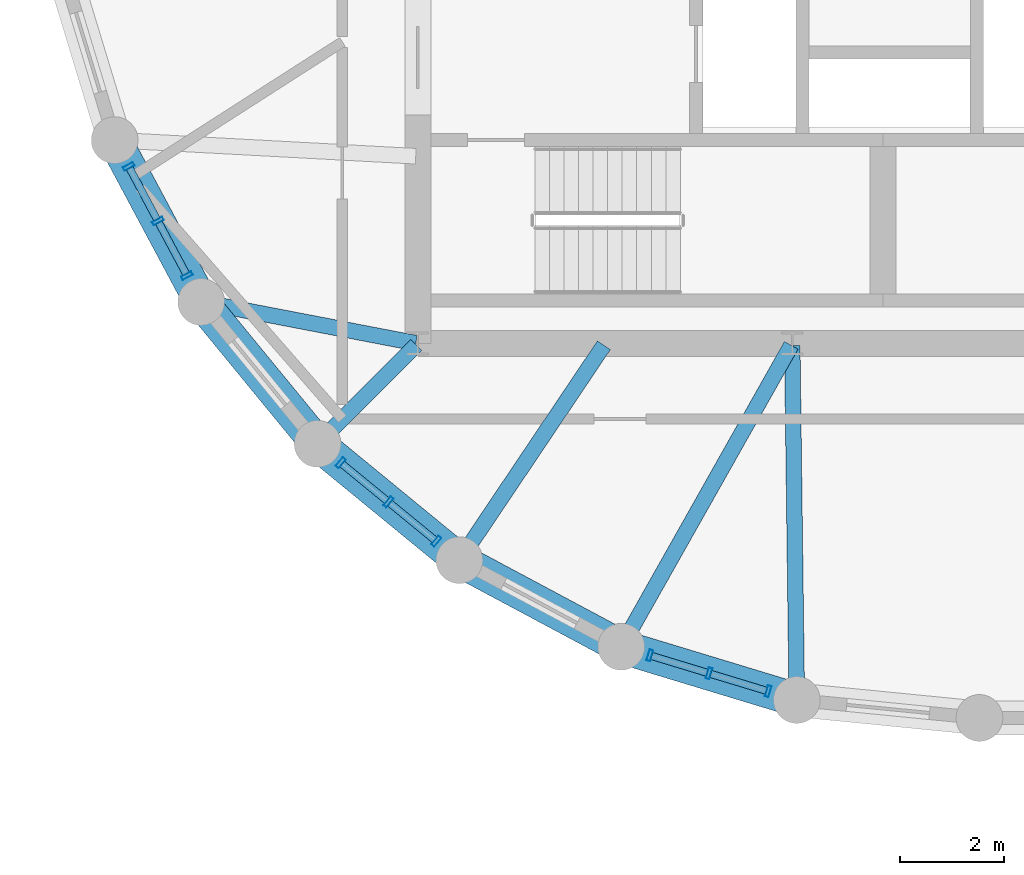
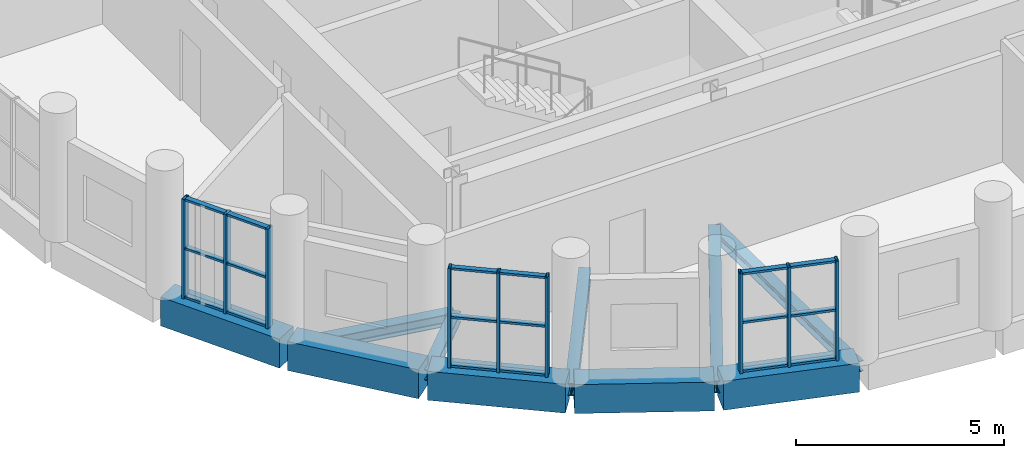
# One storey, part 2 of 12: 27 members, 10 beams, 3 elements without a shape of their own.
"""IFC4 building model written with IfcOpenShell, lengths in metres."""

from ifc_helpers import new_model, si_unit, direction, frame, origin, origin_2d, place, context, subcontext, project, spatial, rectangle, hollow_rectangle, i_section, extrude, material, layer, layer_set, material_profile, profile_set, type_object, element, aggregate, save


model = new_model("IFC4")

# Units and contexts
model_context = context("Model", 3, precision=1e-05, world=origin(), true_north=direction((0.0, 1.0)))
body_context = subcontext(model_context, "Body", "Model", "MODEL_VIEW")
ifc_project = project(units=[si_unit("LENGTHUNIT", "METRE"), si_unit("AREAUNIT", "SQUARE_METRE"), si_unit("VOLUMEUNIT", "CUBIC_METRE"), si_unit("PLANEANGLEUNIT", "RADIAN"), si_unit("MASSUNIT", "GRAM", prefix="KILO")], contexts=[model_context])

# Site, building, storey
site_placement = place(None, origin())
site = spatial("IfcSite", under=ifc_project, at=site_placement, CompositionType="ELEMENT")
building_placement = place(site_placement, origin())
building = spatial("IfcBuilding", under=site, at=building_placement, Name="Solnavia Interchange Tower", CompositionType="ELEMENT")
storey_placement = place(building_placement, frame((0.0, 0.0, 182.39990234375)))
storey = spatial("IfcBuildingStorey", under=building, at=storey_placement, Name="L45", CompositionType="ELEMENT", Elevation=182.39990234375)

# Beams
ifc_material_1 = material(Name="Steel S460", Category="steel")
ifc_material_profile_1 = material_profile(ifc_material_1, i_section(OverallWidth=0.300048828125, OverallDepth=0.360107421875, WebThickness=0.012451171875, FlangeThickness=0.0224609375, FilletRadius=0.027099609375, at=origin_2d()), Name="HEB 360")
ifc_profile_set_1 = profile_set([ifc_material_profile_1], Name="Steel S460")
beam_type_1 = type_object("IfcBeamType", Name="Beam-Girder-HEB360", PredefinedType="BEAM", material=ifc_profile_set_1)
beam_1_placement = place(storey_placement, frame((15.24462890625, 6.700439453125, -0.429931640625), z_axis=(0.557835474219, 0.829951555033, 0.0), x_axis=(-0.829951555033, 0.557835474219, 0.0)))
element("IfcBeam", 1, at=beam_1_placement, inside=storey, type_object=beam_type_1, Name="GRD-L45-DR16 Drum radial floor girder", PredefinedType="BEAM", context=body_context, shape_type="SweptSolid", body=[
    extrude(i_section(OverallWidth=0.300048828125, OverallDepth=0.360107421875, WebThickness=0.012451171875, FlangeThickness=0.0224609375, FilletRadius=0.027099609375, at=origin_2d()), origin(), (0.0, 0.0, 1.0), 4.899658203125),
])
ifc_material_2 = material(Name="Steel S355", Category="steel")
ifc_material_profile_2 = material_profile(ifc_material_2, i_section(OverallWidth=0.300048828125, OverallDepth=0.31005859375, WebThickness=0.009033203125, FlangeThickness=0.015380859375, FilletRadius=0.027099609375, at=origin_2d()), Name="HEA 320")
ifc_profile_set_2 = profile_set([ifc_material_profile_2], Name="Steel S355")
beam_type_2 = type_object("IfcBeamType", Name="Beam-Primary-HEA320", PredefinedType="BEAM", material=ifc_profile_set_2)
beam_2_placement = place(storey_placement, frame((12.528564453125, 8.9287109375, -0.40478515625), z_axis=(0.707106781187, 0.707106781187, 0.0), x_axis=(-0.707106781187, 0.707106781187, 0.0)))
element("IfcBeam", 2, at=beam_2_placement, inside=storey, type_object=beam_type_2, Name="GRD-L45-DR15 Drum radial floor girder", PredefinedType="BEAM", context=body_context, shape_type="SweptSolid", body=[
    extrude(i_section(OverallWidth=0.300048828125, OverallDepth=0.31005859375, WebThickness=0.009033203125, FlangeThickness=0.015380859375, FilletRadius=0.027099609375, at=origin_2d()), origin(), (0.0, 0.0, 1.0), 2.6064453125),
])
beam_3_placement = place(storey_placement, frame((21.68701171875, 4.02587890625, -0.40478515625), z_axis=(-0.01283293513, 0.999917654498, 0.0), x_axis=(-0.999917654498, -0.01283293513, 0.0)))
element("IfcBeam", 3, at=beam_3_placement, inside=storey, type_object=beam_type_2, Name="GRD-L45-DR18 Drum radial floor girder", PredefinedType="BEAM", context=body_context, shape_type="SweptSolid", body=[
    extrude(i_section(OverallWidth=0.300048828125, OverallDepth=0.31005859375, WebThickness=0.009033203125, FlangeThickness=0.015380859375, FilletRadius=0.027099609375, at=origin_2d()), origin(), (0.0, 0.0, 1.0), 6.734619140625),
])
ifc_material_profile_3 = material_profile(ifc_material_2, i_section(OverallWidth=0.300048828125, OverallDepth=0.35009765625, WebThickness=0.010009765625, FlangeThickness=0.017578125, FilletRadius=0.027099609375, at=origin_2d()), Name="HEA 360")
ifc_profile_set_3 = profile_set([ifc_material_profile_3], Name="Steel S355")
beam_type_3 = type_object("IfcBeamType", Name="Beam-Primary-HEA360", PredefinedType="BEAM", material=ifc_profile_set_3)
beam_4_placement = place(storey_placement, frame((10.3125, 11.5849609375, -0.4248046875), z_axis=(0.982057527796, -0.188581579428, 0.0), x_axis=(0.188581579428, 0.982057527796, 0.0)))
element("IfcBeam", 4, at=beam_4_placement, inside=storey, type_object=beam_type_3, Name="GRD-L45-DR14 Drum radial floor girder", PredefinedType="BEAM", context=body_context, shape_type="SweptSolid", body=[
    extrude(i_section(OverallWidth=0.300048828125, OverallDepth=0.35009765625, WebThickness=0.010009765625, FlangeThickness=0.017578125, FilletRadius=0.027099609375, at=origin_2d()), origin(), (0.0, 0.0, 1.0), 4.1220703125),
])
beam_5_placement = place(storey_placement, frame((18.351318359375, 5.039794921875, -0.4248046875), z_axis=(0.491243158486, 0.871022479182, 0.0), x_axis=(-0.871022479182, 0.491243158486, 0.0)))
element("IfcBeam", 5, at=beam_5_placement, inside=storey, type_object=beam_type_3, Name="GRD-L45-DR17 Drum radial floor girder", PredefinedType="BEAM", context=body_context, shape_type="SweptSolid", body=[
    extrude(i_section(OverallWidth=0.300048828125, OverallDepth=0.35009765625, WebThickness=0.010009765625, FlangeThickness=0.017578125, FilletRadius=0.027099609375, at=origin_2d()), origin(), (0.0, 0.0, 1.0), 6.5732421875),
])
ifc_material_3 = material(Name="Concrete C50/60", Category="concrete")
ifc_material_profile_4 = material_profile(ifc_material_3, rectangle(XDim=0.64990234375, YDim=0.85009765625, at=origin_2d()), Name="RC 650x850")
ifc_profile_set_4 = profile_set([ifc_material_profile_4], Name="Concrete C50/60")
beam_type_4 = type_object("IfcBeamType", Name="Beam-Spandrel-RC650x850", PredefinedType="SPANDREL", material=ifc_profile_set_4)
beam_6_placement = place(storey_placement, frame((8.607666015625, 14.6416015625, -0.4248046875), z_axis=(0.471509422952, -0.881861023102, 0.0), x_axis=(0.881861023102, 0.471509422952, 0.0)))
element("IfcBeam", 6, at=beam_6_placement, inside=storey, type_object=beam_type_4, Name="SPB-L45-03 Framed-tube perimeter spandrel beam", PredefinedType="SPANDREL", context=body_context, shape_type="SweptSolid", body=[
    extrude(rectangle(XDim=0.64990234375, YDim=0.85009765625, at=origin_2d()), origin(), (0.0, 0.0, 1.0), 3.369140625),
])
for number, where, z_axis, x_axis, name in (
    (7, (10.28466796875, 11.5380859375, -0.4248046875), (0.634298841675, -0.773087950656, 0.0), (0.773087950656, 0.634298841675, 0.0), "SPB-L45-04 Framed-tube perimeter spandrel beam"),
    (8, (12.53369140625, 8.8212890625, -0.4248046875), (0.773152644452, -0.634219984214, 0.0), (0.634219984214, 0.773152644452, 0.0), "SPB-L45-05 Framed-tube perimeter spandrel beam"),
):
    element("IfcBeam", number, at=place(storey_placement, frame(where, z_axis=z_axis, x_axis=x_axis)), inside=storey, type_object=beam_type_4, Name=name, PredefinedType="SPANDREL", context=body_context, shape_type="SweptSolid", body=[
        extrude(rectangle(XDim=0.64990234375, YDim=0.85009765625, at=origin_2d()), origin(), (0.0, 0.0, 1.0), 3.36865234375),
    ])
beam_7_placement = place(storey_placement, frame((15.2705078125, 6.59619140625, -0.4248046875), z_axis=(0.881875044348, -0.47148319817, 0.0), x_axis=(0.47148319817, 0.881875044348, 0.0)))
element("IfcBeam", 9, at=beam_7_placement, inside=storey, type_object=beam_type_4, Name="SPB-L45-06 Framed-tube perimeter spandrel beam", PredefinedType="SPANDREL", context=body_context, shape_type="SweptSolid", body=[
    extrude(rectangle(XDim=0.64990234375, YDim=0.85009765625, at=origin_2d()), origin(), (0.0, 0.0, 1.0), 3.368896484375),
])
beam_8_placement = place(storey_placement, frame((18.388671875, 4.94677734375, -0.4248046875), z_axis=(0.956943884494, -0.290272978297, 0.0), x_axis=(0.290272978297, 0.956943884494, 0.0)))
element("IfcBeam", 10, at=beam_8_placement, inside=storey, type_object=beam_type_4, Name="SPB-L45-07 Framed-tube perimeter spandrel beam", PredefinedType="SPANDREL", context=body_context, shape_type="SweptSolid", body=[
    extrude(rectangle(XDim=0.64990234375, YDim=0.85009765625, at=origin_2d()), origin(), (0.0, 0.0, 1.0), 3.36767578125),
])

# Curtain wall, members
ifc_material_4 = material(Name="Aluminium Alloy 6063-T6", Category="aluminium")
ifc_layer = layer(ifc_material_4, 0.239990234375)
ifc_layer_set = layer_set([ifc_layer], Name="Aluminium Alloy 6063-T6")
curtain_wall_type = type_object("IfcCurtainWallType", Name="CurtainWall-Drum-CTW2", PredefinedType="NOTDEFINED", material=ifc_layer_set)
curtain_wall_1_placement = place(storey_placement, origin())
curtain_wall_1 = element("IfcCurtainWall", 11, at=curtain_wall_1_placement, inside=storey, type_object=curtain_wall_type, Name="CTW-L45-D49 CTW-2 curtain wall", PredefinedType="NOTDEFINED")
ifc_material_profile_5 = material_profile(ifc_material_4, hollow_rectangle(XDim=0.074951171875, YDim=0.219970703125, WallThickness=0.0048828125, at=origin_2d()), Name="ALU 220x75x5")
ifc_profile_set_5 = profile_set([ifc_material_profile_5], Name="Aluminium Alloy 6063-T6")
member_type_1 = type_object("IfcMemberType", Name="CW-Mullion-CWM-2", PredefinedType="MULLION", material=ifc_profile_set_5)
member_1_placement = place(storey_placement, frame((8.841064453125, 14.204833984375, 0.0), z_axis=(0.0, 0.0, 1.0), x_axis=(0.471560876964, -0.881833509976, 0.0)))
member_1 = element("IfcMember", 12, at=member_1_placement, type_object=member_type_1, Name="CTW-2 mullion 1", PredefinedType="MULLION", context=body_context, shape_type="SweptSolid", body=[
    extrude(hollow_rectangle(XDim=0.074951171875, YDim=0.219970703125, WallThickness=0.0048828125, at=origin_2d()), origin(), (0.0, 0.0, 1.0), 2.93017578125),
])
member_2_placement = place(storey_placement, frame((9.402099609375, 13.156005859375, 0.0), z_axis=(0.0, 0.0, 1.0), x_axis=(0.471560876964, -0.881833509976, 0.0)))
member_2 = element("IfcMember", 13, at=member_2_placement, type_object=member_type_1, Name="CTW-2 mullion 2", PredefinedType="MULLION", context=body_context, shape_type="SweptSolid", body=[
    extrude(hollow_rectangle(XDim=0.074951171875, YDim=0.219970703125, WallThickness=0.0048828125, at=origin_2d()), origin(), (0.0, 0.0, 1.0), 2.93017578125),
])
member_3_placement = place(storey_placement, frame((9.962890625, 12.107177734375, 0.0), z_axis=(0.0, 0.0, 1.0), x_axis=(0.471560876964, -0.881833509976, 0.0)))
member_3 = element("IfcMember", 14, at=member_3_placement, type_object=member_type_1, Name="CTW-2 mullion 3", PredefinedType="MULLION", context=body_context, shape_type="SweptSolid", body=[
    extrude(hollow_rectangle(XDim=0.074951171875, YDim=0.219970703125, WallThickness=0.0048828125, at=origin_2d()), origin(), (0.0, 0.0, 1.0), 2.93017578125),
])

curtain_wall_2_placement = place(storey_placement, origin())
curtain_wall_2 = element("IfcCurtainWall", 15, at=curtain_wall_2_placement, inside=storey, type_object=curtain_wall_type, Name="CTW-L45-D51 CTW-2 curtain wall", PredefinedType="NOTDEFINED")
member_4_placement = place(storey_placement, frame((12.91650390625, 8.50732421875, 0.0), z_axis=(0.0, 0.0, 1.0), x_axis=(0.773103093557, -0.634280384951, 0.0)))
member_4 = element("IfcMember", 16, at=member_4_placement, type_object=member_type_1, Name="CTW-2 mullion 1", PredefinedType="MULLION", context=body_context, shape_type="SweptSolid", body=[
    extrude(hollow_rectangle(XDim=0.074951171875, YDim=0.219970703125, WallThickness=0.0048828125, at=origin_2d()), origin(), (0.0, 0.0, 1.0), 2.93017578125),
])
member_5_placement = place(storey_placement, frame((13.8359375, 7.7529296875, 0.0), z_axis=(0.0, 0.0, 1.0), x_axis=(0.773103093557, -0.634280384951, 0.0)))
member_5 = element("IfcMember", 17, at=member_5_placement, type_object=member_type_1, Name="CTW-2 mullion 2", PredefinedType="MULLION", context=body_context, shape_type="SweptSolid", body=[
    extrude(hollow_rectangle(XDim=0.074951171875, YDim=0.219970703125, WallThickness=0.0048828125, at=origin_2d()), origin(), (0.0, 0.0, 1.0), 2.93017578125),
])
member_6_placement = place(storey_placement, frame((14.75537109375, 6.998779296875, 0.0), z_axis=(0.0, 0.0, 1.0), x_axis=(0.773103093557, -0.634280384951, 0.0)))
member_6 = element("IfcMember", 18, at=member_6_placement, type_object=member_type_1, Name="CTW-2 mullion 3", PredefinedType="MULLION", context=body_context, shape_type="SweptSolid", body=[
    extrude(hollow_rectangle(XDim=0.074951171875, YDim=0.219970703125, WallThickness=0.0048828125, at=origin_2d()), origin(), (0.0, 0.0, 1.0), 2.93017578125),
])

curtain_wall_3_placement = place(storey_placement, origin())
curtain_wall_3 = element("IfcCurtainWall", 19, at=curtain_wall_3_placement, inside=storey, type_object=curtain_wall_type, Name="CTW-L45-D53 CTW-2 curtain wall", PredefinedType="NOTDEFINED")
member_7_placement = place(storey_placement, frame((18.8623046875, 4.80322265625, 0.0), z_axis=(0.0, 0.0, 1.0), x_axis=(0.956942072515, -0.290278951786, 0.0)))
member_7 = element("IfcMember", 20, at=member_7_placement, type_object=member_type_1, Name="CTW-2 mullion 1", PredefinedType="MULLION", context=body_context, shape_type="SweptSolid", body=[
    extrude(hollow_rectangle(XDim=0.074951171875, YDim=0.219970703125, WallThickness=0.0048828125, at=origin_2d()), origin(), (0.0, 0.0, 1.0), 2.93017578125),
])
member_8_placement = place(storey_placement, frame((20.0, 4.4580078125, 0.0), z_axis=(0.0, 0.0, 1.0), x_axis=(0.956942072515, -0.290278951786, 0.0)))
member_8 = element("IfcMember", 21, at=member_8_placement, type_object=member_type_1, Name="CTW-2 mullion 2", PredefinedType="MULLION", context=body_context, shape_type="SweptSolid", body=[
    extrude(hollow_rectangle(XDim=0.074951171875, YDim=0.219970703125, WallThickness=0.0048828125, at=origin_2d()), origin(), (0.0, 0.0, 1.0), 2.93017578125),
])
member_9_placement = place(storey_placement, frame((21.1376953125, 4.11279296875, 0.0), z_axis=(0.0, 0.0, 1.0), x_axis=(0.956942072515, -0.290278951786, 0.0)))
member_9 = element("IfcMember", 22, at=member_9_placement, type_object=member_type_1, Name="CTW-2 mullion 3", PredefinedType="MULLION", context=body_context, shape_type="SweptSolid", body=[
    extrude(hollow_rectangle(XDim=0.074951171875, YDim=0.219970703125, WallThickness=0.0048828125, at=origin_2d()), origin(), (0.0, 0.0, 1.0), 2.93017578125),
])

# Member
ifc_material_profile_6 = material_profile(ifc_material_4, hollow_rectangle(XDim=0.06494140625, YDim=0.139892578125, WallThickness=0.00390625, at=origin_2d()), Name="ALU 140x65x4")
ifc_profile_set_6 = profile_set([ifc_material_profile_6], Name="Aluminium Alloy 6063-T6")
member_type_2 = type_object("IfcMemberType", Name="CW-Transom-CWT-2", PredefinedType="USERDEFINED", material=ifc_profile_set_6)
member_10_placement = place(storey_placement, frame((8.85888671875, 14.171875, 0.03271484375), z_axis=(0.471406647105, -0.881915967122, 0.0), x_axis=(0.0, 0.0, 1.0)))
member_10 = element("IfcMember", 23, at=member_10_placement, type_object=member_type_2, Name="CTW-2 transom 1.1", ObjectType="TRANSOM", PredefinedType="USERDEFINED", context=body_context, shape_type="SweptSolid", body=[
    extrude(hollow_rectangle(XDim=0.06494140625, YDim=0.139892578125, WallThickness=0.00390625, at=origin_2d()), origin(), (0.0, 0.0, 1.0), 1.114501953125),
])

member_11_placement = place(storey_placement, frame((8.85888671875, 14.171875, 1.465087890625), z_axis=(0.471406647105, -0.881915967122, 0.0), x_axis=(0.0, 0.0, 1.0)))
member_11 = element("IfcMember", 24, at=member_11_placement, type_object=member_type_2, Name="CTW-2 transom 1.2", ObjectType="TRANSOM", PredefinedType="USERDEFINED", context=body_context, shape_type="SweptSolid", body=[
    extrude(hollow_rectangle(XDim=0.06494140625, YDim=0.139892578125, WallThickness=0.00390625, at=origin_2d()), origin(), (0.0, 0.0, 1.0), 1.114501953125),
])

member_12_placement = place(storey_placement, frame((8.85888671875, 14.171875, 2.897705078125), z_axis=(0.471406647105, -0.881915967122, 0.0), x_axis=(0.0, 0.0, 1.0)))
member_12 = element("IfcMember", 25, at=member_12_placement, type_object=member_type_2, Name="CTW-2 transom 1.3", ObjectType="TRANSOM", PredefinedType="USERDEFINED", context=body_context, shape_type="SweptSolid", body=[
    extrude(hollow_rectangle(XDim=0.06494140625, YDim=0.139892578125, WallThickness=0.00390625, at=origin_2d()), origin(), (0.0, 0.0, 1.0), 1.114501953125),
])

member_13_placement = place(storey_placement, frame((9.419677734375, 13.123046875, 0.03271484375), z_axis=(0.471576996491, -0.881824889862, 0.0), x_axis=(0.0, 0.0, 1.0)))
member_13 = element("IfcMember", 26, at=member_13_placement, type_object=member_type_2, Name="CTW-2 transom 2.1", ObjectType="TRANSOM", PredefinedType="USERDEFINED", context=body_context, shape_type="SweptSolid", body=[
    extrude(hollow_rectangle(XDim=0.06494140625, YDim=0.139892578125, WallThickness=0.00390625, at=origin_2d()), origin(), (0.0, 0.0, 1.0), 1.11474609375),
])

member_14_placement = place(storey_placement, frame((9.419677734375, 13.123046875, 1.465087890625), z_axis=(0.471576996491, -0.881824889862, 0.0), x_axis=(0.0, 0.0, 1.0)))
member_14 = element("IfcMember", 27, at=member_14_placement, type_object=member_type_2, Name="CTW-2 transom 2.2", ObjectType="TRANSOM", PredefinedType="USERDEFINED", context=body_context, shape_type="SweptSolid", body=[
    extrude(hollow_rectangle(XDim=0.06494140625, YDim=0.139892578125, WallThickness=0.00390625, at=origin_2d()), origin(), (0.0, 0.0, 1.0), 1.11474609375),
])

member_15_placement = place(storey_placement, frame((9.419677734375, 13.123046875, 2.897705078125), z_axis=(0.471576996491, -0.881824889862, 0.0), x_axis=(0.0, 0.0, 1.0)))
member_15 = element("IfcMember", 28, at=member_15_placement, type_object=member_type_2, Name="CTW-2 transom 2.3", ObjectType="TRANSOM", PredefinedType="USERDEFINED", context=body_context, shape_type="SweptSolid", body=[
    extrude(hollow_rectangle(XDim=0.06494140625, YDim=0.139892578125, WallThickness=0.00390625, at=origin_2d()), origin(), (0.0, 0.0, 1.0), 1.11474609375),
])

aggregate(curtain_wall_1, [member_1, member_2, member_3, member_10, member_11, member_12, member_13, member_14, member_15])

member_16_placement = place(storey_placement, frame((12.945556640625, 8.483642578125, 0.03271484375), z_axis=(0.773136723636, -0.634239392158, 0.0), x_axis=(0.0, 0.0, 1.0)))
member_16 = element("IfcMember", 29, at=member_16_placement, type_object=member_type_2, Name="CTW-2 transom 1.1", ObjectType="TRANSOM", PredefinedType="USERDEFINED", context=body_context, shape_type="SweptSolid", body=[
    extrude(hollow_rectangle(XDim=0.06494140625, YDim=0.139892578125, WallThickness=0.00390625, at=origin_2d()), origin(), (0.0, 0.0, 1.0), 1.114501953125),
])

member_17_placement = place(storey_placement, frame((12.945556640625, 8.483642578125, 1.465087890625), z_axis=(0.773136723636, -0.634239392158, 0.0), x_axis=(0.0, 0.0, 1.0)))
member_17 = element("IfcMember", 30, at=member_17_placement, type_object=member_type_2, Name="CTW-2 transom 1.2", ObjectType="TRANSOM", PredefinedType="USERDEFINED", context=body_context, shape_type="SweptSolid", body=[
    extrude(hollow_rectangle(XDim=0.06494140625, YDim=0.139892578125, WallThickness=0.00390625, at=origin_2d()), origin(), (0.0, 0.0, 1.0), 1.114501953125),
])

member_18_placement = place(storey_placement, frame((12.945556640625, 8.483642578125, 2.897705078125), z_axis=(0.773136723636, -0.634239392158, 0.0), x_axis=(0.0, 0.0, 1.0)))
member_18 = element("IfcMember", 31, at=member_18_placement, type_object=member_type_2, Name="CTW-2 transom 1.3", ObjectType="TRANSOM", PredefinedType="USERDEFINED", context=body_context, shape_type="SweptSolid", body=[
    extrude(hollow_rectangle(XDim=0.06494140625, YDim=0.139892578125, WallThickness=0.00390625, at=origin_2d()), origin(), (0.0, 0.0, 1.0), 1.114501953125),
])

member_19_placement = place(storey_placement, frame((13.864990234375, 7.729248046875, 0.03271484375), z_axis=(0.773048573819, -0.634346831407, 0.0), x_axis=(0.0, 0.0, 1.0)))
member_19 = element("IfcMember", 32, at=member_19_placement, type_object=member_type_2, Name="CTW-2 transom 2.1", ObjectType="TRANSOM", PredefinedType="USERDEFINED", context=body_context, shape_type="SweptSolid", body=[
    extrude(hollow_rectangle(XDim=0.06494140625, YDim=0.139892578125, WallThickness=0.00390625, at=origin_2d()), origin(), (0.0, 0.0, 1.0), 1.1142578125),
])

member_20_placement = place(storey_placement, frame((13.864990234375, 7.729248046875, 1.465087890625), z_axis=(0.773048573819, -0.634346831407, 0.0), x_axis=(0.0, 0.0, 1.0)))
member_20 = element("IfcMember", 33, at=member_20_placement, type_object=member_type_2, Name="CTW-2 transom 2.2", ObjectType="TRANSOM", PredefinedType="USERDEFINED", context=body_context, shape_type="SweptSolid", body=[
    extrude(hollow_rectangle(XDim=0.06494140625, YDim=0.139892578125, WallThickness=0.00390625, at=origin_2d()), origin(), (0.0, 0.0, 1.0), 1.1142578125),
])

member_21_placement = place(storey_placement, frame((13.864990234375, 7.729248046875, 2.897705078125), z_axis=(0.773048573819, -0.634346831407, 0.0), x_axis=(0.0, 0.0, 1.0)))
member_21 = element("IfcMember", 34, at=member_21_placement, type_object=member_type_2, Name="CTW-2 transom 2.3", ObjectType="TRANSOM", PredefinedType="USERDEFINED", context=body_context, shape_type="SweptSolid", body=[
    extrude(hollow_rectangle(XDim=0.06494140625, YDim=0.139892578125, WallThickness=0.00390625, at=origin_2d()), origin(), (0.0, 0.0, 1.0), 1.1142578125),
])

aggregate(curtain_wall_2, [member_4, member_5, member_6, member_16, member_17, member_18, member_19, member_20, member_21])

member_22_placement = place(storey_placement, frame((18.898193359375, 4.792236328125, 0.03271484375), z_axis=(0.956965394332, -0.290202057283, 0.0), x_axis=(0.0, 0.0, 1.0)))
member_22 = element("IfcMember", 35, at=member_22_placement, type_object=member_type_2, Name="CTW-2 transom 1.1", ObjectType="TRANSOM", PredefinedType="USERDEFINED", context=body_context, shape_type="SweptSolid", body=[
    extrude(hollow_rectangle(XDim=0.06494140625, YDim=0.139892578125, WallThickness=0.00390625, at=origin_2d()), origin(), (0.0, 0.0, 1.0), 1.11376953125),
])

member_23_placement = place(storey_placement, frame((18.898193359375, 4.792236328125, 1.465087890625), z_axis=(0.956965394332, -0.290202057283, 0.0), x_axis=(0.0, 0.0, 1.0)))
member_23 = element("IfcMember", 36, at=member_23_placement, type_object=member_type_2, Name="CTW-2 transom 1.2", ObjectType="TRANSOM", PredefinedType="USERDEFINED", context=body_context, shape_type="SweptSolid", body=[
    extrude(hollow_rectangle(XDim=0.06494140625, YDim=0.139892578125, WallThickness=0.00390625, at=origin_2d()), origin(), (0.0, 0.0, 1.0), 1.11376953125),
])

member_24_placement = place(storey_placement, frame((18.898193359375, 4.792236328125, 2.897705078125), z_axis=(0.956965394332, -0.290202057283, 0.0), x_axis=(0.0, 0.0, 1.0)))
member_24 = element("IfcMember", 37, at=member_24_placement, type_object=member_type_2, Name="CTW-2 transom 1.3", ObjectType="TRANSOM", PredefinedType="USERDEFINED", context=body_context, shape_type="SweptSolid", body=[
    extrude(hollow_rectangle(XDim=0.06494140625, YDim=0.139892578125, WallThickness=0.00390625, at=origin_2d()), origin(), (0.0, 0.0, 1.0), 1.11376953125),
])

member_25_placement = place(storey_placement, frame((20.035888671875, 4.447021484375, 0.03271484375), z_axis=(0.956965394332, -0.290202057283, 0.0), x_axis=(0.0, 0.0, 1.0)))
member_25 = element("IfcMember", 38, at=member_25_placement, type_object=member_type_2, Name="CTW-2 transom 2.1", ObjectType="TRANSOM", PredefinedType="USERDEFINED", context=body_context, shape_type="SweptSolid", body=[
    extrude(hollow_rectangle(XDim=0.06494140625, YDim=0.139892578125, WallThickness=0.00390625, at=origin_2d()), origin(), (0.0, 0.0, 1.0), 1.11376953125),
])

member_26_placement = place(storey_placement, frame((20.035888671875, 4.447021484375, 1.465087890625), z_axis=(0.956965394332, -0.290202057283, 0.0), x_axis=(0.0, 0.0, 1.0)))
member_26 = element("IfcMember", 39, at=member_26_placement, type_object=member_type_2, Name="CTW-2 transom 2.2", ObjectType="TRANSOM", PredefinedType="USERDEFINED", context=body_context, shape_type="SweptSolid", body=[
    extrude(hollow_rectangle(XDim=0.06494140625, YDim=0.139892578125, WallThickness=0.00390625, at=origin_2d()), origin(), (0.0, 0.0, 1.0), 1.11376953125),
])

member_27_placement = place(storey_placement, frame((20.035888671875, 4.447021484375, 2.897705078125), z_axis=(0.956965394332, -0.290202057283, 0.0), x_axis=(0.0, 0.0, 1.0)))
member_27 = element("IfcMember", 40, at=member_27_placement, type_object=member_type_2, Name="CTW-2 transom 2.3", ObjectType="TRANSOM", PredefinedType="USERDEFINED", context=body_context, shape_type="SweptSolid", body=[
    extrude(hollow_rectangle(XDim=0.06494140625, YDim=0.139892578125, WallThickness=0.00390625, at=origin_2d()), origin(), (0.0, 0.0, 1.0), 1.11376953125),
])

aggregate(curtain_wall_3, [member_7, member_8, member_9, member_22, member_23, member_24, member_25, member_26, member_27])

save(model, "model.ifc")
